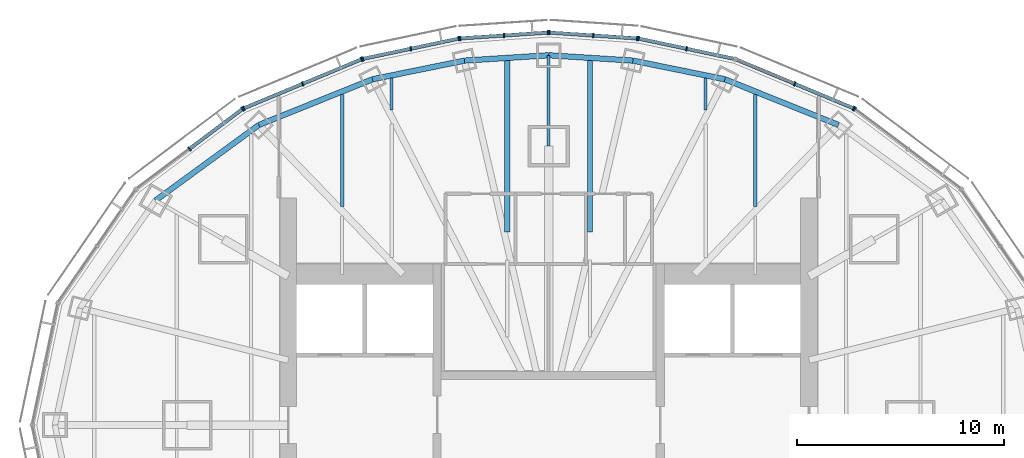
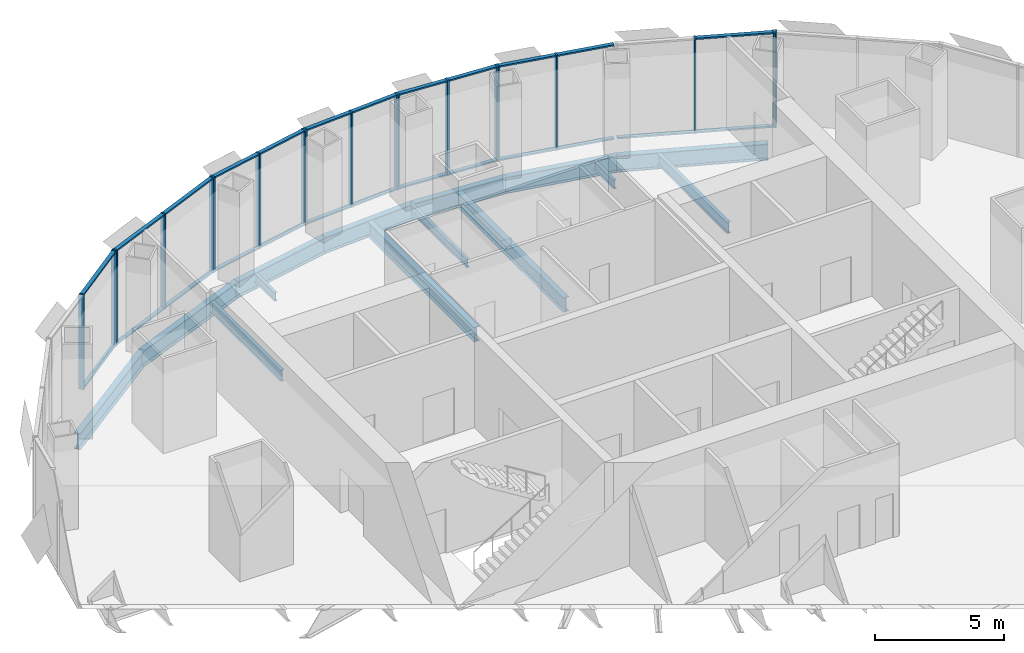
# One storey, part 7 of 15: 44 members, 14 beams, 8 elements without a shape of their own.
"""IFC4 building model written with IfcOpenShell, lengths in metres."""

from ifc_helpers import new_model, si_unit, direction, frame, origin, origin_2d, place, context, subcontext, project, spatial, rectangle, i_section, extrude, material, material_profile, profile_set, type_object, element, aggregate, save


model = new_model("IFC4")

# Units and contexts
model_context = context("Model", 3, precision=1e-05, world=origin(), true_north=direction((0.0, 1.0)))
body_context = subcontext(model_context, "Body", "Model", "MODEL_VIEW")
ifc_project = project(units=[si_unit("LENGTHUNIT", "METRE"), si_unit("AREAUNIT", "SQUARE_METRE"), si_unit("VOLUMEUNIT", "CUBIC_METRE"), si_unit("PLANEANGLEUNIT", "RADIAN"), si_unit("MASSUNIT", "GRAM", prefix="KILO")], contexts=[model_context])

# Site, building, storey
site_placement = place(None, origin())
site = spatial("IfcSite", under=ifc_project, at=site_placement, CompositionType="ELEMENT")
building_placement = place(site_placement, origin())
building = spatial("IfcBuilding", under=site, at=building_placement, Name="Lantaw Convention Tower", CompositionType="ELEMENT")
storey_placement = place(building_placement, frame((0.0, 0.0, 274.89990234375)))
storey = spatial("IfcBuildingStorey", under=building, at=storey_placement, Name="L64", CompositionType="ELEMENT", Elevation=274.89990234375)

# Beams
ifc_material_1 = material(Name="Steel ASTM A992", Category="steel")
ifc_material_profile_1 = material_profile(ifc_material_1, i_section(OverallWidth=0.2666015625, OverallDepth=0.76953125, WebThickness=0.015625, FlangeThickness=0.025390625, FilletRadius=0.0126953125, at=origin_2d()), Name="W30X132")
ifc_profile_set_1 = profile_set([ifc_material_profile_1], Name="Steel ASTM A992")
beam_type_1 = type_object("IfcBeamType", Name="Beam E W30X132", PredefinedType="SPANDREL", material=ifc_profile_set_1)
beam_1_placement = place(storey_placement, frame((14.027587890625, 14.526123046875, -0.53466796875), z_axis=(-0.927779110974, 0.373129898615, 0.0), x_axis=(-0.373129898615, -0.927779110974, 0.0)))
element("IfcBeam", 1, at=beam_1_placement, inside=storey, type_object=beam_type_1, Name="Edge beam 4", PredefinedType="SPANDREL", context=body_context, shape_type="SweptSolid", body=[
    extrude(i_section(OverallWidth=0.2666015625, OverallDepth=0.76953125, WebThickness=0.015625, FlangeThickness=0.025390625, FilletRadius=0.0126953125, at=origin_2d()), origin(), (0.0, 0.0, 1.0), 5.92724609375),
])
beam_2_placement = place(storey_placement, frame((8.5283203125, 16.73779296875, -0.53466796875), z_axis=(-0.980006466425, 0.198965639657, 0.0), x_axis=(-0.198965639657, -0.980006466425, 0.0)))
element("IfcBeam", 2, at=beam_2_placement, inside=storey, type_object=beam_type_1, Name="Edge beam 5", PredefinedType="SPANDREL", context=body_context, shape_type="SweptSolid", body=[
    extrude(i_section(OverallWidth=0.2666015625, OverallDepth=0.76953125, WebThickness=0.015625, FlangeThickness=0.025390625, FilletRadius=0.0126953125, at=origin_2d()), origin(), (0.0, 0.0, 1.0), 4.546142578125),
])
for number, where, z_axis, x_axis, name in (
    (3, (4.072998046875, 17.642333984375, -0.53466796875), (-0.998006453216, 0.063111958769, 0.0), (-0.063111958769, -0.998006453216, 0.0), "Edge beam 6"),
    (4, (0.0, 17.89990234375, -0.53466796875), (-0.998006453216, -0.063111958769, 0.0), (0.063111958769, -0.998006453216, 0.0), "Edge beam 7"),
):
    element("IfcBeam", number, at=place(storey_placement, frame(where, z_axis=z_axis, x_axis=x_axis)), inside=storey, type_object=beam_type_1, Name=name, PredefinedType="SPANDREL", context=body_context, shape_type="SweptSolid", body=[
        extrude(i_section(OverallWidth=0.2666015625, OverallDepth=0.76953125, WebThickness=0.015625, FlangeThickness=0.025390625, FilletRadius=0.0126953125, at=origin_2d()), origin(), (0.0, 0.0, 1.0), 4.0810546875),
    ])
beam_3_placement = place(storey_placement, frame((-4.072998046875, 17.642333984375, -0.53466796875), z_axis=(-0.980006466425, -0.198965639657, 0.0), x_axis=(0.198965639657, -0.980006466425, 0.0)))
element("IfcBeam", 5, at=beam_3_placement, inside=storey, type_object=beam_type_1, Name="Edge beam 8", PredefinedType="SPANDREL", context=body_context, shape_type="SweptSolid", body=[
    extrude(i_section(OverallWidth=0.2666015625, OverallDepth=0.76953125, WebThickness=0.015625, FlangeThickness=0.025390625, FilletRadius=0.0126953125, at=origin_2d()), origin(), (0.0, 0.0, 1.0), 4.546142578125),
])
beam_4_placement = place(storey_placement, frame((-8.5283203125, 16.73779296875, -0.53466796875), z_axis=(-0.927779110974, -0.373129898615, 0.0), x_axis=(0.373129898615, -0.927779110974, 0.0)))
element("IfcBeam", 6, at=beam_4_placement, inside=storey, type_object=beam_type_1, Name="Edge beam 9", PredefinedType="SPANDREL", context=body_context, shape_type="SweptSolid", body=[
    extrude(i_section(OverallWidth=0.2666015625, OverallDepth=0.76953125, WebThickness=0.015625, FlangeThickness=0.025390625, FilletRadius=0.0126953125, at=origin_2d()), origin(), (0.0, 0.0, 1.0), 5.92724609375),
])
beam_5_placement = place(storey_placement, frame((-14.027587890625, 14.526123046875, -0.53466796875), z_axis=(-0.807371616826, -0.59004328006, 0.0), x_axis=(0.59004328006, -0.807371616826, 0.0)))
element("IfcBeam", 7, at=beam_5_placement, inside=storey, type_object=beam_type_1, Name="Edge beam 10", PredefinedType="SPANDREL", context=body_context, shape_type="SweptSolid", body=[
    extrude(i_section(OverallWidth=0.2666015625, OverallDepth=0.76953125, WebThickness=0.015625, FlangeThickness=0.025390625, FilletRadius=0.0126953125, at=origin_2d()), origin(), (0.0, 0.0, 1.0), 6.192138671875),
])
ifc_material_profile_2 = material_profile(ifc_material_1, i_section(OverallWidth=0.140380859375, OverallDepth=0.40380859375, WebThickness=0.007080078125, FlangeThickness=0.01123046875, FilletRadius=0.01025390625, at=origin_2d()), Name="W16X31")
ifc_profile_set_2 = profile_set([ifc_material_profile_2], Name="Steel ASTM A992")
beam_type_2 = type_object("IfcBeamType", Name="Beam G W16X31", PredefinedType="BEAM", material=ifc_profile_set_2)
beam_6_placement = place(storey_placement, frame((0.0, 13.5, -0.351806640625), z_axis=(0.0, 1.0, 0.0), x_axis=(-1.0, 0.0, 0.0)))
element("IfcBeam", 8, at=beam_6_placement, inside=storey, type_object=beam_type_2, Name="Floor girder on ray 7", PredefinedType="BEAM", context=body_context, shape_type="SweptSolid", body=[
    extrude(i_section(OverallWidth=0.140380859375, OverallDepth=0.40380859375, WebThickness=0.007080078125, FlangeThickness=0.01123046875, FilletRadius=0.01025390625, at=origin_2d()), origin(), (0.0, 0.0, 1.0), 4.39990234375),
])
ifc_material_profile_3 = material_profile(ifc_material_1, i_section(OverallWidth=0.140380859375, OverallDepth=0.40380859375, WebThickness=0.007080078125, FlangeThickness=0.01123046875, FilletRadius=0.01025390625, at=origin_2d()), Name="W16X31")
ifc_profile_set_3 = profile_set([ifc_material_profile_3], Name="Steel ASTM A992")
beam_type_3 = type_object("IfcBeamType", Name="Beam J W16X31", PredefinedType="JOIST", material=ifc_profile_set_3)
for number, where, z_axis, x_axis, name in (
    (9, (-7.60009765625, 15.25439453125, -0.351806640625), (0.0, 1.0, 0.0), (-1.0, 0.0, 0.0), "Floor joist"),
    (10, (7.60009765625, 15.25439453125, -0.351806640625), (0.0, 1.0, 0.0), (-1.0, 0.0, 0.0), "Floor joist"),
):
    element("IfcBeam", number, at=place(storey_placement, frame(where, z_axis=z_axis, x_axis=x_axis)), inside=storey, type_object=beam_type_3, Name=name, PredefinedType="JOIST", context=body_context, shape_type="SweptSolid", body=[
        extrude(i_section(OverallWidth=0.140380859375, OverallDepth=0.40380859375, WebThickness=0.007080078125, FlangeThickness=0.01123046875, FilletRadius=0.01025390625, at=origin_2d()), origin(), (0.0, 0.0, 1.0), 1.535888671875),
    ])
ifc_material_profile_4 = material_profile(ifc_material_1, i_section(OverallWidth=0.1650390625, OverallDepth=0.52587890625, WebThickness=0.0087890625, FlangeThickness=0.011474609375, FilletRadius=0.0126953125, at=origin_2d()), Name="W21X44")
ifc_profile_set_4 = profile_set([ifc_material_profile_4], Name="Steel ASTM A992")
beam_type_4 = type_object("IfcBeamType", Name="Beam J W21X44", PredefinedType="JOIST", material=ifc_profile_set_4)
for number, where, z_axis, x_axis, name in (
    (11, (-10.0, 10.591064453125, -0.412841796875), (0.0, 1.0, 0.0), (-1.0, 0.0, 0.0), "Floor joist"),
    (12, (10.0, 10.591064453125, -0.412841796875), (0.0, 1.0, 0.0), (-1.0, 0.0, 0.0), "Floor joist"),
):
    element("IfcBeam", number, at=place(storey_placement, frame(where, z_axis=z_axis, x_axis=x_axis)), inside=storey, type_object=beam_type_4, Name=name, PredefinedType="JOIST", context=body_context, shape_type="SweptSolid", body=[
        extrude(i_section(OverallWidth=0.1650390625, OverallDepth=0.52587890625, WebThickness=0.0087890625, FlangeThickness=0.011474609375, FilletRadius=0.0126953125, at=origin_2d()), origin(), (0.0, 0.0, 1.0), 5.4111328125),
    ])
ifc_material_profile_5 = material_profile(ifc_material_1, i_section(OverallWidth=0.25390625, OverallDepth=0.683349609375, WebThickness=0.012451171875, FlangeThickness=0.01904296875, FilletRadius=0.01513671875, at=origin_2d()), Name="W27X94")
ifc_profile_set_5 = profile_set([ifc_material_profile_5], Name="Steel ASTM A992")
beam_type_5 = type_object("IfcBeamType", Name="Beam J W27X94", PredefinedType="JOIST", material=ifc_profile_set_5)
for number, where, z_axis, x_axis, name in (
    (13, (-2.0, 9.34619140625, -0.491455078125), (0.0, 1.0, 0.0), (-1.0, 0.0, 0.0), "Floor joist"),
    (14, (2.0, 9.34619140625, -0.491455078125), (0.0, 1.0, 0.0), (-1.0, 0.0, 0.0), "Floor joist"),
):
    element("IfcBeam", number, at=place(storey_placement, frame(where, z_axis=z_axis, x_axis=x_axis)), inside=storey, type_object=beam_type_5, Name=name, PredefinedType="JOIST", context=body_context, shape_type="SweptSolid", body=[
        extrude(i_section(OverallWidth=0.25390625, OverallDepth=0.683349609375, WebThickness=0.012451171875, FlangeThickness=0.01904296875, FilletRadius=0.01513671875, at=origin_2d()), origin(), (0.0, 0.0, 1.0), 8.293701171875),
    ])

# Curtain wall, member
ifc_material_2 = material(Name="Aluminium framed curtain wall", Category="aluminium")
curtain_wall_type = type_object("IfcCurtainWallType", Name="Executive floors curtain wall, pale aluminium", PredefinedType="USERDEFINED", material=ifc_material_2)
curtain_wall_1_placement = place(storey_placement, origin())
curtain_wall_1 = element("IfcCurtainWall", 15, at=curtain_wall_1_placement, inside=storey, type_object=curtain_wall_type, Name="Executive floors curtain wall, pale aluminium L64", ObjectType="UNITISED CURTAIN WALL", PredefinedType="USERDEFINED")
ifc_material_3 = material(Name="Aluminium 6063-T6", Category="aluminium")
ifc_material_profile_6 = material_profile(ifc_material_3, rectangle(XDim=0.219970703125, YDim=0.070068359375, at=origin_2d()), Name="CW-T mullion 70x220")
ifc_profile_set_6 = profile_set([ifc_material_profile_6], Name="Aluminium 6063-T6")
member_type_1 = type_object("IfcMemberType", Name="CW-T mullion 70x220", PredefinedType="MULLION", material=ifc_profile_set_6)
member_1_placement = place(storey_placement, frame((14.81982421875, 15.29638671875, -0.14990234375), z_axis=(0.0, 0.0, 1.0), x_axis=(-0.600642756762, -0.799517528732, 0.0)))
member_1 = element("IfcMember", 16, at=member_1_placement, type_object=member_type_1, Name="CW-T mullion 3", PredefinedType="MULLION", context=body_context, shape_type="SweptSolid", body=[
    extrude(rectangle(XDim=0.219970703125, YDim=0.070068359375, at=origin_2d()), origin(), (0.0, 0.0, 1.0), 4.5),
])
aggregate(curtain_wall_1, [member_1])

# Curtain wall, members
curtain_wall_2_placement = place(storey_placement, origin())
curtain_wall_2 = element("IfcCurtainWall", 17, at=curtain_wall_2_placement, inside=storey, type_object=curtain_wall_type, Name="Executive floors curtain wall, pale aluminium L64", ObjectType="UNITISED CURTAIN WALL", PredefinedType="USERDEFINED")
member_2_placement = place(storey_placement, frame((14.759521484375, 15.330810546875, -0.14990234375), z_axis=(0.0, 0.0, 1.0), x_axis=(-0.384459697924, -0.923141777124, 0.0)))
member_2 = element("IfcMember", 18, at=member_2_placement, type_object=member_type_1, Name="CW-T mullion 1", PredefinedType="MULLION", context=body_context, shape_type="SweptSolid", body=[
    extrude(rectangle(XDim=0.219970703125, YDim=0.070068359375, at=origin_2d()), origin(), (0.0, 0.0, 1.0), 4.5),
])
member_3_placement = place(storey_placement, frame((11.90966796875, 16.517578125, -0.14990234375), z_axis=(0.0, 0.0, 1.0), x_axis=(-0.384459697924, -0.923141777124, 0.0)))
member_3 = element("IfcMember", 19, at=member_3_placement, type_object=member_type_1, Name="CW-T mullion 2", PredefinedType="MULLION", context=body_context, shape_type="SweptSolid", body=[
    extrude(rectangle(XDim=0.219970703125, YDim=0.070068359375, at=origin_2d()), origin(), (0.0, 0.0, 1.0), 4.5),
])

curtain_wall_3_placement = place(storey_placement, origin())
curtain_wall_3 = element("IfcCurtainWall", 20, at=curtain_wall_3_placement, inside=storey, type_object=curtain_wall_type, Name="Executive floors curtain wall, pale aluminium L64", ObjectType="UNITISED CURTAIN WALL", PredefinedType="USERDEFINED")
member_4_placement = place(storey_placement, frame((6.674072265625, 18.216064453125, -0.14990234375), z_axis=(0.0, 0.0, 1.0), x_axis=(-0.207039911975, -0.978332497083, 0.0)))
member_4 = element("IfcMember", 21, at=member_4_placement, type_object=member_type_1, Name="CW-T mullion 2", PredefinedType="MULLION", context=body_context, shape_type="SweptSolid", body=[
    extrude(rectangle(XDim=0.219970703125, YDim=0.070068359375, at=origin_2d()), origin(), (0.0, 0.0, 1.0), 4.5),
])
member_5_placement = place(storey_placement, frame((4.354736328125, 18.706787109375, -0.14990234375), z_axis=(0.0, 0.0, 1.0), x_axis=(-0.207039911975, -0.978332497083, 0.0)))
member_5 = element("IfcMember", 22, at=member_5_placement, type_object=member_type_1, Name="CW-T mullion 3", PredefinedType="MULLION", context=body_context, shape_type="SweptSolid", body=[
    extrude(rectangle(XDim=0.219970703125, YDim=0.070068359375, at=origin_2d()), origin(), (0.0, 0.0, 1.0), 4.5),
])

curtain_wall_4_placement = place(storey_placement, origin())
curtain_wall_4 = element("IfcCurtainWall", 23, at=curtain_wall_4_placement, inside=storey, type_object=curtain_wall_type, Name="Executive floors curtain wall, pale aluminium L64", ObjectType="UNITISED CURTAIN WALL", PredefinedType="USERDEFINED")
member_6_placement = place(storey_placement, frame((4.28564453125, 18.71630859375, -0.14990234375), z_axis=(0.0, 0.0, 1.0), x_axis=(-0.066024902273, -0.997817975525, 0.0)))
member_6 = element("IfcMember", 24, at=member_6_placement, type_object=member_type_1, Name="CW-T mullion 1", PredefinedType="MULLION", context=body_context, shape_type="SweptSolid", body=[
    extrude(rectangle(XDim=0.219970703125, YDim=0.070068359375, at=origin_2d()), origin(), (0.0, 0.0, 1.0), 4.5),
])
member_7_placement = place(storey_placement, frame((2.16015625, 18.857177734375, -0.14990234375), z_axis=(0.0, 0.0, 1.0), x_axis=(-0.066024902273, -0.997817975525, 0.0)))
member_7 = element("IfcMember", 25, at=member_7_placement, type_object=member_type_1, Name="CW-T mullion 2", PredefinedType="MULLION", context=body_context, shape_type="SweptSolid", body=[
    extrude(rectangle(XDim=0.219970703125, YDim=0.070068359375, at=origin_2d()), origin(), (0.0, 0.0, 1.0), 4.5),
])
member_8_placement = place(storey_placement, frame((0.034912109375, 18.997802734375, -0.14990234375), z_axis=(0.0, 0.0, 1.0), x_axis=(-0.066024902273, -0.997817975525, 0.0)))
member_8 = element("IfcMember", 26, at=member_8_placement, type_object=member_type_1, Name="CW-T mullion 3", PredefinedType="MULLION", context=body_context, shape_type="SweptSolid", body=[
    extrude(rectangle(XDim=0.219970703125, YDim=0.070068359375, at=origin_2d()), origin(), (0.0, 0.0, 1.0), 4.5),
])

curtain_wall_5_placement = place(storey_placement, origin())
curtain_wall_5 = element("IfcCurtainWall", 27, at=curtain_wall_5_placement, inside=storey, type_object=curtain_wall_type, Name="Executive floors curtain wall, pale aluminium L64", ObjectType="UNITISED CURTAIN WALL", PredefinedType="USERDEFINED")
member_9_placement = place(storey_placement, frame((-0.034912109375, 18.997802734375, -0.14990234375), z_axis=(0.0, 0.0, 1.0), x_axis=(0.066024902273, -0.997817975525, 0.0)))
member_9 = element("IfcMember", 28, at=member_9_placement, type_object=member_type_1, Name="CW-T mullion 1", PredefinedType="MULLION", context=body_context, shape_type="SweptSolid", body=[
    extrude(rectangle(XDim=0.219970703125, YDim=0.070068359375, at=origin_2d()), origin(), (0.0, 0.0, 1.0), 4.5),
])
member_10_placement = place(storey_placement, frame((-2.16015625, 18.857177734375, -0.14990234375), z_axis=(0.0, 0.0, 1.0), x_axis=(0.066024902273, -0.997817975525, 0.0)))
member_10 = element("IfcMember", 29, at=member_10_placement, type_object=member_type_1, Name="CW-T mullion 2", PredefinedType="MULLION", context=body_context, shape_type="SweptSolid", body=[
    extrude(rectangle(XDim=0.219970703125, YDim=0.070068359375, at=origin_2d()), origin(), (0.0, 0.0, 1.0), 4.5),
])
member_11_placement = place(storey_placement, frame((-4.28564453125, 18.71630859375, -0.14990234375), z_axis=(0.0, 0.0, 1.0), x_axis=(0.066024902273, -0.997817975525, 0.0)))
member_11 = element("IfcMember", 30, at=member_11_placement, type_object=member_type_1, Name="CW-T mullion 3", PredefinedType="MULLION", context=body_context, shape_type="SweptSolid", body=[
    extrude(rectangle(XDim=0.219970703125, YDim=0.070068359375, at=origin_2d()), origin(), (0.0, 0.0, 1.0), 4.5),
])

curtain_wall_6_placement = place(storey_placement, origin())
curtain_wall_6 = element("IfcCurtainWall", 31, at=curtain_wall_6_placement, inside=storey, type_object=curtain_wall_type, Name="Executive floors curtain wall, pale aluminium L64", ObjectType="UNITISED CURTAIN WALL", PredefinedType="USERDEFINED")
member_12_placement = place(storey_placement, frame((-4.354736328125, 18.706787109375, -0.14990234375), z_axis=(0.0, 0.0, 1.0), x_axis=(0.207039911975, -0.978332497083, 0.0)))
member_12 = element("IfcMember", 32, at=member_12_placement, type_object=member_type_1, Name="CW-T mullion 1", PredefinedType="MULLION", context=body_context, shape_type="SweptSolid", body=[
    extrude(rectangle(XDim=0.219970703125, YDim=0.070068359375, at=origin_2d()), origin(), (0.0, 0.0, 1.0), 4.5),
])
member_13_placement = place(storey_placement, frame((-6.674072265625, 18.216064453125, -0.14990234375), z_axis=(0.0, 0.0, 1.0), x_axis=(0.207039911975, -0.978332497083, 0.0)))
member_13 = element("IfcMember", 33, at=member_13_placement, type_object=member_type_1, Name="CW-T mullion 2", PredefinedType="MULLION", context=body_context, shape_type="SweptSolid", body=[
    extrude(rectangle(XDim=0.219970703125, YDim=0.070068359375, at=origin_2d()), origin(), (0.0, 0.0, 1.0), 4.5),
])
member_14_placement = place(storey_placement, frame((-8.993408203125, 17.72509765625, -0.14990234375), z_axis=(0.0, 0.0, 1.0), x_axis=(0.207039911975, -0.978332497083, 0.0)))
member_14 = element("IfcMember", 34, at=member_14_placement, type_object=member_type_1, Name="CW-T mullion 3", PredefinedType="MULLION", context=body_context, shape_type="SweptSolid", body=[
    extrude(rectangle(XDim=0.219970703125, YDim=0.070068359375, at=origin_2d()), origin(), (0.0, 0.0, 1.0), 4.5),
])

curtain_wall_7_placement = place(storey_placement, origin())
curtain_wall_7 = element("IfcCurtainWall", 35, at=curtain_wall_7_placement, inside=storey, type_object=curtain_wall_type, Name="Executive floors curtain wall, pale aluminium L64", ObjectType="UNITISED CURTAIN WALL", PredefinedType="USERDEFINED")
member_15_placement = place(storey_placement, frame((-9.06005859375, 17.70458984375, -0.14990234375), z_axis=(0.0, 0.0, 1.0), x_axis=(0.384459697924, -0.923141777124, 0.0)))
member_15 = element("IfcMember", 36, at=member_15_placement, type_object=member_type_1, Name="CW-T mullion 1", PredefinedType="MULLION", context=body_context, shape_type="SweptSolid", body=[
    extrude(rectangle(XDim=0.219970703125, YDim=0.070068359375, at=origin_2d()), origin(), (0.0, 0.0, 1.0), 4.5),
])
member_16_placement = place(storey_placement, frame((-11.90966796875, 16.517578125, -0.14990234375), z_axis=(0.0, 0.0, 1.0), x_axis=(0.384459697924, -0.923141777124, 0.0)))
member_16 = element("IfcMember", 37, at=member_16_placement, type_object=member_type_1, Name="CW-T mullion 2", PredefinedType="MULLION", context=body_context, shape_type="SweptSolid", body=[
    extrude(rectangle(XDim=0.219970703125, YDim=0.070068359375, at=origin_2d()), origin(), (0.0, 0.0, 1.0), 4.5),
])
member_17_placement = place(storey_placement, frame((-14.759521484375, 15.330810546875, -0.14990234375), z_axis=(0.0, 0.0, 1.0), x_axis=(0.384459697924, -0.923141777124, 0.0)))
member_17 = element("IfcMember", 38, at=member_17_placement, type_object=member_type_1, Name="CW-T mullion 3", PredefinedType="MULLION", context=body_context, shape_type="SweptSolid", body=[
    extrude(rectangle(XDim=0.219970703125, YDim=0.070068359375, at=origin_2d()), origin(), (0.0, 0.0, 1.0), 4.5),
])

curtain_wall_8_placement = place(storey_placement, origin())
curtain_wall_8 = element("IfcCurtainWall", 39, at=curtain_wall_8_placement, inside=storey, type_object=curtain_wall_type, Name="Executive floors curtain wall, pale aluminium L64", ObjectType="UNITISED CURTAIN WALL", PredefinedType="USERDEFINED")
member_18_placement = place(storey_placement, frame((-14.81982421875, 15.29638671875, -0.14990234375), z_axis=(0.0, 0.0, 1.0), x_axis=(0.600642756762, -0.799517528732, 0.0)))
member_18 = element("IfcMember", 40, at=member_18_placement, type_object=member_type_1, Name="CW-T mullion 1", PredefinedType="MULLION", context=body_context, shape_type="SweptSolid", body=[
    extrude(rectangle(XDim=0.219970703125, YDim=0.070068359375, at=origin_2d()), origin(), (0.0, 0.0, 1.0), 4.5),
])
member_19_placement = place(storey_placement, frame((-17.386962890625, 13.367919921875, -0.14990234375), z_axis=(0.0, 0.0, 1.0), x_axis=(0.600642756762, -0.799517528732, 0.0)))
member_19 = element("IfcMember", 41, at=member_19_placement, type_object=member_type_1, Name="CW-T mullion 2", PredefinedType="MULLION", context=body_context, shape_type="SweptSolid", body=[
    extrude(rectangle(XDim=0.219970703125, YDim=0.070068359375, at=origin_2d()), origin(), (0.0, 0.0, 1.0), 4.5),
])

# Member
ifc_material_profile_7 = material_profile(ifc_material_3, rectangle(XDim=0.169921875, YDim=0.070068359375, at=origin_2d()), Name="CW-T transom 70x170")
ifc_profile_set_7 = profile_set([ifc_material_profile_7], Name="Aluminium 6063-T6")
member_type_2 = type_object("IfcMemberType", Name="CW-T transom 70x170", PredefinedType="USERDEFINED", material=ifc_profile_set_7)
member_20_placement = place(storey_placement, frame((14.727294921875, 15.34423828125, -0.114990234375), z_axis=(-0.923143943999, 0.384454494911, 0.0), x_axis=(-0.384454494911, -0.923143943999, 0.0)))
member_20 = element("IfcMember", 42, at=member_20_placement, type_object=member_type_2, Name="CW-T transom 1.1", ObjectType="TRANSOM", PredefinedType="USERDEFINED", context=body_context, shape_type="SweptSolid", body=[
    extrude(rectangle(XDim=0.169921875, YDim=0.070068359375, at=origin_2d()), origin(), (0.0, 0.0, 1.0), 3.01708984375),
])

member_21_placement = place(storey_placement, frame((14.727294921875, 15.34423828125, 4.315185546875), z_axis=(-0.923143943999, 0.384454494911, 0.0), x_axis=(-0.384454494911, -0.923143943999, 0.0)))
member_21 = element("IfcMember", 43, at=member_21_placement, type_object=member_type_2, Name="CW-T transom 1.2", ObjectType="TRANSOM", PredefinedType="USERDEFINED", context=body_context, shape_type="SweptSolid", body=[
    extrude(rectangle(XDim=0.169921875, YDim=0.070068359375, at=origin_2d()), origin(), (0.0, 0.0, 1.0), 3.01708984375),
])

member_22_placement = place(storey_placement, frame((11.87744140625, 16.531005859375, -0.114990234375), z_axis=(-0.923143943999, 0.384454494911, 0.0), x_axis=(-0.384454494911, -0.923143943999, 0.0)))
member_22 = element("IfcMember", 44, at=member_22_placement, type_object=member_type_2, Name="CW-T transom 2.1", ObjectType="TRANSOM", PredefinedType="USERDEFINED", context=body_context, shape_type="SweptSolid", body=[
    extrude(rectangle(XDim=0.169921875, YDim=0.070068359375, at=origin_2d()), origin(), (0.0, 0.0, 1.0), 3.01708984375),
])

aggregate(curtain_wall_2, [member_2, member_3, member_20, member_21, member_22])

member_23_placement = place(storey_placement, frame((8.959228515625, 17.732421875, -0.114990234375), z_axis=(-0.978336479598, 0.207021092375, 0.0), x_axis=(-0.207021092375, -0.978336479598, 0.0)))
member_23 = element("IfcMember", 45, at=member_23_placement, type_object=member_type_2, Name="CW-T transom 1.1", ObjectType="TRANSOM", PredefinedType="USERDEFINED", context=body_context, shape_type="SweptSolid", body=[
    extrude(rectangle(XDim=0.169921875, YDim=0.070068359375, at=origin_2d()), origin(), (0.0, 0.0, 1.0), 2.30078125),
])

member_24_placement = place(storey_placement, frame((8.959228515625, 17.732421875, 4.315185546875), z_axis=(-0.978336479598, 0.207021092375, 0.0), x_axis=(-0.207021092375, -0.978336479598, 0.0)))
member_24 = element("IfcMember", 46, at=member_24_placement, type_object=member_type_2, Name="CW-T transom 1.2", ObjectType="TRANSOM", PredefinedType="USERDEFINED", context=body_context, shape_type="SweptSolid", body=[
    extrude(rectangle(XDim=0.169921875, YDim=0.070068359375, at=origin_2d()), origin(), (0.0, 0.0, 1.0), 2.30078125),
])

member_25_placement = place(storey_placement, frame((6.639892578125, 18.223388671875, -0.114990234375), z_axis=(-0.978336479598, 0.207021092375, 0.0), x_axis=(-0.207021092375, -0.978336479598, 0.0)))
member_25 = element("IfcMember", 47, at=member_25_placement, type_object=member_type_2, Name="CW-T transom 2.1", ObjectType="TRANSOM", PredefinedType="USERDEFINED", context=body_context, shape_type="SweptSolid", body=[
    extrude(rectangle(XDim=0.169921875, YDim=0.070068359375, at=origin_2d()), origin(), (0.0, 0.0, 1.0), 2.30078125),
])

member_26_placement = place(storey_placement, frame((6.639892578125, 18.223388671875, 4.315185546875), z_axis=(-0.978336479598, 0.207021092375, 0.0), x_axis=(-0.207021092375, -0.978336479598, 0.0)))
member_26 = element("IfcMember", 48, at=member_26_placement, type_object=member_type_2, Name="CW-T transom 2.2", ObjectType="TRANSOM", PredefinedType="USERDEFINED", context=body_context, shape_type="SweptSolid", body=[
    extrude(rectangle(XDim=0.169921875, YDim=0.070068359375, at=origin_2d()), origin(), (0.0, 0.0, 1.0), 2.30078125),
])

aggregate(curtain_wall_3, [member_4, member_5, member_23, member_24, member_25, member_26])

member_27_placement = place(storey_placement, frame((4.250732421875, 18.71875, -0.114990234375), z_axis=(-0.997819110413, 0.066007748753, 0.0), x_axis=(-0.066007748753, -0.997819110413, 0.0)))
member_27 = element("IfcMember", 49, at=member_27_placement, type_object=member_type_2, Name="CW-T transom 1.1", ObjectType="TRANSOM", PredefinedType="USERDEFINED", context=body_context, shape_type="SweptSolid", body=[
    extrude(rectangle(XDim=0.169921875, YDim=0.070068359375, at=origin_2d()), origin(), (0.0, 0.0, 1.0), 2.06005859375),
])

member_28_placement = place(storey_placement, frame((4.250732421875, 18.71875, 4.315185546875), z_axis=(-0.997819110413, 0.066007748753, 0.0), x_axis=(-0.066007748753, -0.997819110413, 0.0)))
member_28 = element("IfcMember", 50, at=member_28_placement, type_object=member_type_2, Name="CW-T transom 1.2", ObjectType="TRANSOM", PredefinedType="USERDEFINED", context=body_context, shape_type="SweptSolid", body=[
    extrude(rectangle(XDim=0.169921875, YDim=0.070068359375, at=origin_2d()), origin(), (0.0, 0.0, 1.0), 2.06005859375),
])

member_29_placement = place(storey_placement, frame((2.125244140625, 18.859375, -0.114990234375), z_axis=(-0.997818593988, 0.066015554918, 0.0), x_axis=(-0.066015554918, -0.997818593988, 0.0)))
member_29 = element("IfcMember", 51, at=member_29_placement, type_object=member_type_2, Name="CW-T transom 2.1", ObjectType="TRANSOM", PredefinedType="USERDEFINED", context=body_context, shape_type="SweptSolid", body=[
    extrude(rectangle(XDim=0.169921875, YDim=0.070068359375, at=origin_2d()), origin(), (0.0, 0.0, 1.0), 2.059814453125),
])

member_30_placement = place(storey_placement, frame((2.125244140625, 18.859375, 4.315185546875), z_axis=(-0.997818593988, 0.066015554918, 0.0), x_axis=(-0.066015554918, -0.997818593988, 0.0)))
member_30 = element("IfcMember", 52, at=member_30_placement, type_object=member_type_2, Name="CW-T transom 2.2", ObjectType="TRANSOM", PredefinedType="USERDEFINED", context=body_context, shape_type="SweptSolid", body=[
    extrude(rectangle(XDim=0.169921875, YDim=0.070068359375, at=origin_2d()), origin(), (0.0, 0.0, 1.0), 2.059814453125),
])

aggregate(curtain_wall_4, [member_6, member_7, member_8, member_27, member_28, member_29, member_30])

member_31_placement = place(storey_placement, frame((-0.06982421875, 18.995361328125, -0.114990234375), z_axis=(-0.997818593988, -0.066015554918, 0.0), x_axis=(0.066015554918, -0.997818593988, 0.0)))
member_31 = element("IfcMember", 53, at=member_31_placement, type_object=member_type_2, Name="CW-T transom 1.1", ObjectType="TRANSOM", PredefinedType="USERDEFINED", context=body_context, shape_type="SweptSolid", body=[
    extrude(rectangle(XDim=0.169921875, YDim=0.070068359375, at=origin_2d()), origin(), (0.0, 0.0, 1.0), 2.059814453125),
])

member_32_placement = place(storey_placement, frame((-0.06982421875, 18.995361328125, 4.315185546875), z_axis=(-0.997818593988, -0.066015554918, 0.0), x_axis=(0.066015554918, -0.997818593988, 0.0)))
member_32 = element("IfcMember", 54, at=member_32_placement, type_object=member_type_2, Name="CW-T transom 1.2", ObjectType="TRANSOM", PredefinedType="USERDEFINED", context=body_context, shape_type="SweptSolid", body=[
    extrude(rectangle(XDim=0.169921875, YDim=0.070068359375, at=origin_2d()), origin(), (0.0, 0.0, 1.0), 2.059814453125),
])

member_33_placement = place(storey_placement, frame((-2.195068359375, 18.854736328125, -0.114990234375), z_axis=(-0.997819110413, -0.066007748753, 0.0), x_axis=(0.066007748753, -0.997819110413, 0.0)))
member_33 = element("IfcMember", 55, at=member_33_placement, type_object=member_type_2, Name="CW-T transom 2.1", ObjectType="TRANSOM", PredefinedType="USERDEFINED", context=body_context, shape_type="SweptSolid", body=[
    extrude(rectangle(XDim=0.169921875, YDim=0.070068359375, at=origin_2d()), origin(), (0.0, 0.0, 1.0), 2.06005859375),
])

member_34_placement = place(storey_placement, frame((-2.195068359375, 18.854736328125, 4.315185546875), z_axis=(-0.997819110413, -0.066007748753, 0.0), x_axis=(0.066007748753, -0.997819110413, 0.0)))
member_34 = element("IfcMember", 56, at=member_34_placement, type_object=member_type_2, Name="CW-T transom 2.2", ObjectType="TRANSOM", PredefinedType="USERDEFINED", context=body_context, shape_type="SweptSolid", body=[
    extrude(rectangle(XDim=0.169921875, YDim=0.070068359375, at=origin_2d()), origin(), (0.0, 0.0, 1.0), 2.06005859375),
])

aggregate(curtain_wall_5, [member_9, member_10, member_11, member_31, member_32, member_33, member_34])

member_35_placement = place(storey_placement, frame((-4.388916015625, 18.69970703125, -0.114990234375), z_axis=(-0.978336479598, -0.207021092375, 0.0), x_axis=(0.207021092375, -0.978336479598, 0.0)))
member_35 = element("IfcMember", 57, at=member_35_placement, type_object=member_type_2, Name="CW-T transom 1.1", ObjectType="TRANSOM", PredefinedType="USERDEFINED", context=body_context, shape_type="SweptSolid", body=[
    extrude(rectangle(XDim=0.169921875, YDim=0.070068359375, at=origin_2d()), origin(), (0.0, 0.0, 1.0), 2.30078125),
])

member_36_placement = place(storey_placement, frame((-4.388916015625, 18.69970703125, 4.315185546875), z_axis=(-0.978336479598, -0.207021092375, 0.0), x_axis=(0.207021092375, -0.978336479598, 0.0)))
member_36 = element("IfcMember", 58, at=member_36_placement, type_object=member_type_2, Name="CW-T transom 1.2", ObjectType="TRANSOM", PredefinedType="USERDEFINED", context=body_context, shape_type="SweptSolid", body=[
    extrude(rectangle(XDim=0.169921875, YDim=0.070068359375, at=origin_2d()), origin(), (0.0, 0.0, 1.0), 2.30078125),
])

member_37_placement = place(storey_placement, frame((-6.708251953125, 18.208740234375, -0.114990234375), z_axis=(-0.978336479598, -0.207021092375, 0.0), x_axis=(0.207021092375, -0.978336479598, 0.0)))
member_37 = element("IfcMember", 59, at=member_37_placement, type_object=member_type_2, Name="CW-T transom 2.1", ObjectType="TRANSOM", PredefinedType="USERDEFINED", context=body_context, shape_type="SweptSolid", body=[
    extrude(rectangle(XDim=0.169921875, YDim=0.070068359375, at=origin_2d()), origin(), (0.0, 0.0, 1.0), 2.30078125),
])

member_38_placement = place(storey_placement, frame((-6.708251953125, 18.208740234375, 4.315185546875), z_axis=(-0.978336479598, -0.207021092375, 0.0), x_axis=(0.207021092375, -0.978336479598, 0.0)))
member_38 = element("IfcMember", 60, at=member_38_placement, type_object=member_type_2, Name="CW-T transom 2.2", ObjectType="TRANSOM", PredefinedType="USERDEFINED", context=body_context, shape_type="SweptSolid", body=[
    extrude(rectangle(XDim=0.169921875, YDim=0.070068359375, at=origin_2d()), origin(), (0.0, 0.0, 1.0), 2.30078125),
])

aggregate(curtain_wall_6, [member_12, member_13, member_14, member_35, member_36, member_37, member_38])

member_39_placement = place(storey_placement, frame((-9.09228515625, 17.69091796875, -0.114990234375), z_axis=(-0.923143943999, -0.384454494911, 0.0), x_axis=(0.384454494911, -0.923143943999, 0.0)))
member_39 = element("IfcMember", 61, at=member_39_placement, type_object=member_type_2, Name="CW-T transom 1.1", ObjectType="TRANSOM", PredefinedType="USERDEFINED", context=body_context, shape_type="SweptSolid", body=[
    extrude(rectangle(XDim=0.169921875, YDim=0.070068359375, at=origin_2d()), origin(), (0.0, 0.0, 1.0), 3.01708984375),
])

member_40_placement = place(storey_placement, frame((-9.09228515625, 17.69091796875, 4.315185546875), z_axis=(-0.923143943999, -0.384454494911, 0.0), x_axis=(0.384454494911, -0.923143943999, 0.0)))
member_40 = element("IfcMember", 62, at=member_40_placement, type_object=member_type_2, Name="CW-T transom 1.2", ObjectType="TRANSOM", PredefinedType="USERDEFINED", context=body_context, shape_type="SweptSolid", body=[
    extrude(rectangle(XDim=0.169921875, YDim=0.070068359375, at=origin_2d()), origin(), (0.0, 0.0, 1.0), 3.01708984375),
])

member_41_placement = place(storey_placement, frame((-11.942138671875, 16.504150390625, -0.114990234375), z_axis=(-0.923143943999, -0.384454494911, 0.0), x_axis=(0.384454494911, -0.923143943999, 0.0)))
member_41 = element("IfcMember", 63, at=member_41_placement, type_object=member_type_2, Name="CW-T transom 2.1", ObjectType="TRANSOM", PredefinedType="USERDEFINED", context=body_context, shape_type="SweptSolid", body=[
    extrude(rectangle(XDim=0.169921875, YDim=0.070068359375, at=origin_2d()), origin(), (0.0, 0.0, 1.0), 3.01708984375),
])

member_42_placement = place(storey_placement, frame((-11.942138671875, 16.504150390625, 4.315185546875), z_axis=(-0.923143943999, -0.384454494911, 0.0), x_axis=(0.384454494911, -0.923143943999, 0.0)))
member_42 = element("IfcMember", 64, at=member_42_placement, type_object=member_type_2, Name="CW-T transom 2.2", ObjectType="TRANSOM", PredefinedType="USERDEFINED", context=body_context, shape_type="SweptSolid", body=[
    extrude(rectangle(XDim=0.169921875, YDim=0.070068359375, at=origin_2d()), origin(), (0.0, 0.0, 1.0), 3.01708984375),
])

aggregate(curtain_wall_7, [member_15, member_16, member_17, member_39, member_40, member_41, member_42])

member_43_placement = place(storey_placement, frame((-14.847900390625, 15.275390625, -0.114990234375), z_axis=(-0.799505333284, -0.600658989819, 0.0), x_axis=(0.600658989819, -0.799505333284, 0.0)))
member_43 = element("IfcMember", 65, at=member_43_placement, type_object=member_type_2, Name="CW-T transom 1.1", ObjectType="TRANSOM", PredefinedType="USERDEFINED", context=body_context, shape_type="SweptSolid", body=[
    extrude(rectangle(XDim=0.169921875, YDim=0.070068359375, at=origin_2d()), origin(), (0.0, 0.0, 1.0), 3.140625),
])

member_44_placement = place(storey_placement, frame((-14.847900390625, 15.275390625, 4.315185546875), z_axis=(-0.799505333284, -0.600658989819, 0.0), x_axis=(0.600658989819, -0.799505333284, 0.0)))
member_44 = element("IfcMember", 66, at=member_44_placement, type_object=member_type_2, Name="CW-T transom 1.2", ObjectType="TRANSOM", PredefinedType="USERDEFINED", context=body_context, shape_type="SweptSolid", body=[
    extrude(rectangle(XDim=0.169921875, YDim=0.070068359375, at=origin_2d()), origin(), (0.0, 0.0, 1.0), 3.140625),
])

aggregate(curtain_wall_8, [member_18, member_19, member_43, member_44])

save(model, "model.ifc")
